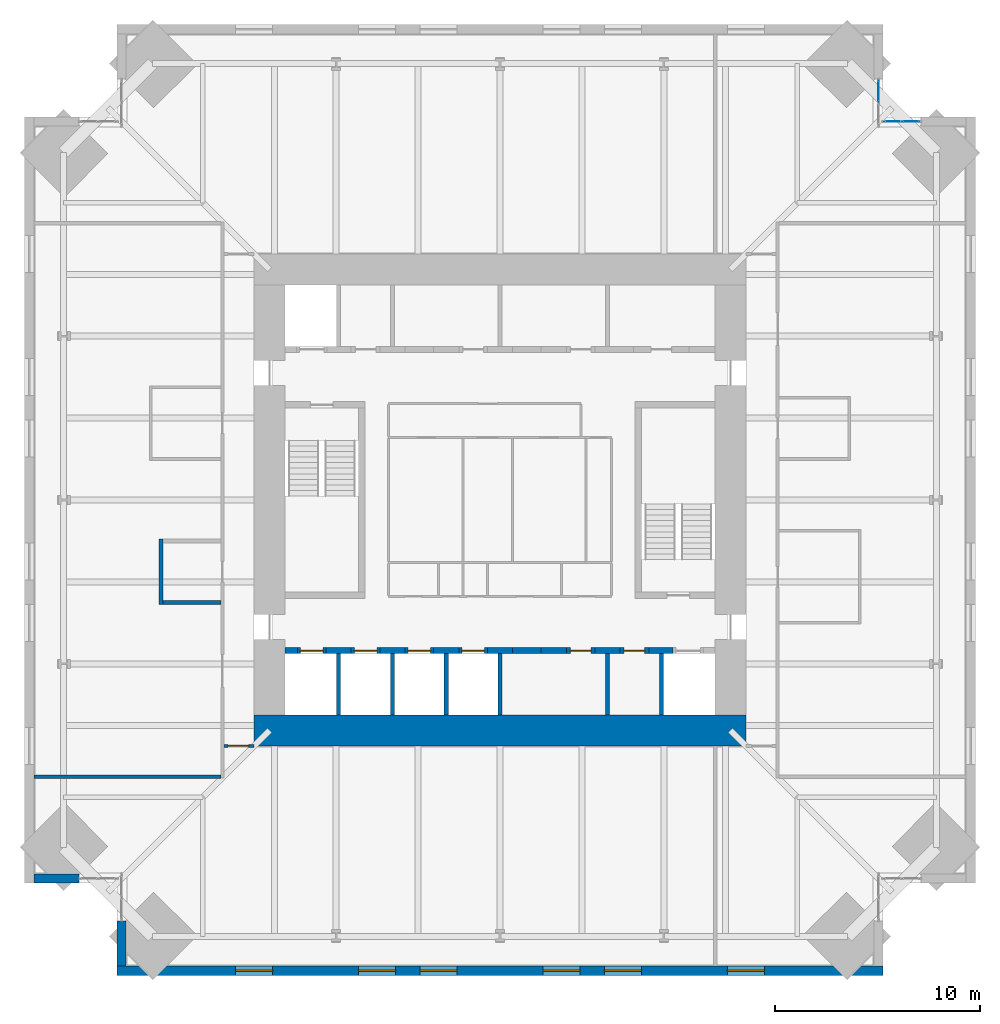
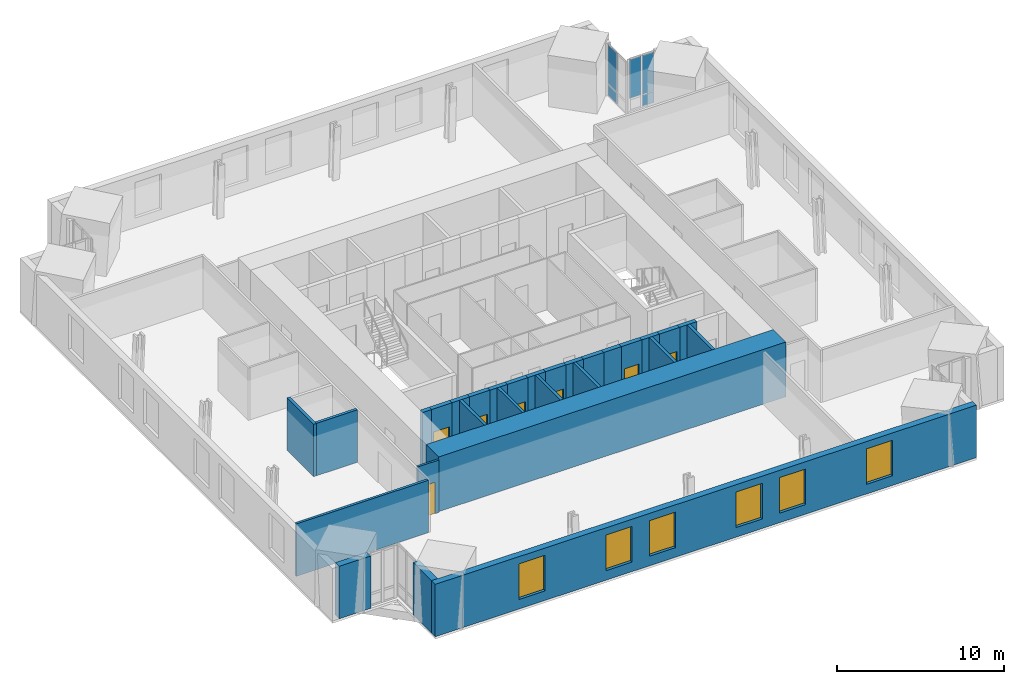
# One storey, part 10 of 15: 29 walls, 7 doors, 6 windows, 5 plates, 13 openings, 2 elements without a shape of their own.
"""IFC4 building model written with IfcOpenShell, lengths in metres."""

from ifc_helpers import new_model, si_unit, direction, frame, frame_2d, origin, origin_2d, place, context, subcontext, project, spatial, rectangle, extrude, material, layer, layer_set, type_object, element, fill, aggregate, save


model = new_model("IFC4")

# Units and contexts
model_context = context("Model", 3, precision=1e-05, world=origin(), true_north=direction((0.0, 1.0)))
body_context = subcontext(model_context, "Body", "Model", "MODEL_VIEW")
ifc_project = project(units=[si_unit("LENGTHUNIT", "METRE"), si_unit("AREAUNIT", "SQUARE_METRE"), si_unit("VOLUMEUNIT", "CUBIC_METRE"), si_unit("PLANEANGLEUNIT", "RADIAN"), si_unit("MASSUNIT", "GRAM", prefix="KILO")], contexts=[model_context])

# Site, building, storey
site_placement = place(None, origin())
site = spatial("IfcSite", under=ifc_project, at=site_placement, CompositionType="ELEMENT")
building_placement = place(site_placement, origin())
building = spatial("IfcBuilding", under=site, at=building_placement, Name="Peilmerk Tower", CompositionType="ELEMENT")
storey_placement = place(building_placement, frame((0.0, 0.0, 237.800048828125)))
storey = spatial("IfcBuildingStorey", under=building, at=storey_placement, Name="L52", CompositionType="ELEMENT", Elevation=237.800048828125)

# Curtain wall, plates
ifc_material_1 = material(Name="Aluminium stick curtain wall", Category="aluminium")
curtain_wall_type = type_object("IfcCurtainWallType", Name="CW4 stick curtain wall, 2250 module", PredefinedType="NOTDEFINED", material=ifc_material_1)
curtain_wall_1_placement = place(storey_placement, origin())
curtain_wall_1 = element("IfcCurtainWall", 1, at=curtain_wall_1_placement, inside=storey, type_object=curtain_wall_type, Name="Curtain wall CW4 NEA L52", PredefinedType="NOTDEFINED")
ifc_material_2 = material(Name="Clear insulated glazing unit", Category="glass")
ifc_layer_1 = layer(ifc_material_2, 0.028076171875)
ifc_layer_set_1 = layer_set([ifc_layer_1], Name="Clear insulated glazing unit")
plate_type = type_object("IfcPlateType", Name="CW4-P 28 glazed panel", PredefinedType="CURTAIN_PANEL", material=ifc_layer_set_1)
plate_1_placement = place(storey_placement, frame((18.47509765625, 19.9501953125, 0.06494140625), z_axis=(0.0, 0.0, 1.0), x_axis=(0.0, 1.0, 0.0)))
plate_1 = element("IfcPlate", 2, at=plate_1_placement, type_object=plate_type, Name="CW4 panel 2.1", PredefinedType="CURTAIN_PANEL", context=body_context, shape_type="SweptSolid", body=[
    extrude(rectangle(XDim=1.046875, YDim=0.028076171875, at=origin_2d()), origin(), (0.0, 0.0, 1.0), 0.802490234375),
])
plate_2_placement = place(storey_placement, frame((18.47509765625, 19.9501953125, 0.932373046875), z_axis=(0.0, 0.0, 1.0), x_axis=(0.0, 1.0, 0.0)))
plate_2 = element("IfcPlate", 3, at=plate_2_placement, type_object=plate_type, Name="CW4 panel 2.2", PredefinedType="CURTAIN_PANEL", context=body_context, shape_type="SweptSolid", body=[
    extrude(rectangle(XDim=1.046875, YDim=0.028076171875, at=origin_2d()), origin(), (0.0, 0.0, 1.0), 2.83251953125),
])
aggregate(curtain_wall_1, [plate_1, plate_2])

curtain_wall_2_placement = place(storey_placement, origin())
curtain_wall_2 = element("IfcCurtainWall", 4, at=curtain_wall_2_placement, inside=storey, type_object=curtain_wall_type, Name="Curtain wall CW4 NEB L52", PredefinedType="NOTDEFINED")
plate_3_placement = place(storey_placement, frame((19.176025390625, 18.47509765625, 0.932373046875), z_axis=(0.0, 0.0, 1.0), x_axis=(1.0, 0.0, 0.0)))
plate_3 = element("IfcPlate", 5, at=plate_3_placement, type_object=plate_type, Name="CW4 panel 1.2", PredefinedType="CURTAIN_PANEL", context=body_context, shape_type="SweptSolid", body=[
    extrude(rectangle(XDim=0.82177734375, YDim=0.028076171875, at=origin_2d()), origin(), (0.0, 0.0, 1.0), 2.83251953125),
])
plate_4_placement = place(storey_placement, frame((20.062744140625, 18.47509765625, 0.06494140625), z_axis=(0.0, 0.0, 1.0), x_axis=(1.0, 0.0, 0.0)))
plate_4 = element("IfcPlate", 6, at=plate_4_placement, type_object=plate_type, Name="CW4 panel 2.1", PredefinedType="CURTAIN_PANEL", context=body_context, shape_type="SweptSolid", body=[
    extrude(rectangle(XDim=0.82177734375, YDim=0.028076171875, at=origin_2d()), origin(), (0.0, 0.0, 1.0), 0.802490234375),
])
plate_5_placement = place(storey_placement, frame((20.062744140625, 18.47509765625, 0.932373046875), z_axis=(0.0, 0.0, 1.0), x_axis=(1.0, 0.0, 0.0)))
plate_5 = element("IfcPlate", 7, at=plate_5_placement, type_object=plate_type, Name="CW4 panel 2.2", PredefinedType="CURTAIN_PANEL", context=body_context, shape_type="SweptSolid", body=[
    extrude(rectangle(XDim=0.82177734375, YDim=0.028076171875, at=origin_2d()), origin(), (0.0, 0.0, 1.0), 2.83251953125),
])
aggregate(curtain_wall_2, [plate_3, plate_4, plate_5])

# Wall, openings, windows
ifc_material_3 = material(Name="Precast concrete C45/55, board-marked finish", Category="concrete")
ifc_layer_2 = layer(ifc_material_3, 0.449951171875)
ifc_layer_set_2 = layer_set([ifc_layer_2], Name="Precast concrete C45/55, board-marked finish")
wall_type_1 = type_object("IfcWallType", Name="EW1 450 precast concrete facade wall, board-marked", PredefinedType="SOLIDWALL", material=ifc_layer_set_2)
wall_1_placement = place(storey_placement, frame((-18.699951171875, -22.97509765625, 0.0), z_axis=(0.0, 0.0, 1.0), x_axis=(1.0, 0.0, 0.0)))
wall_1 = element("IfcWall", 8, at=wall_1_placement, inside=storey, type_object=wall_type_1, Name="Facade wall S L52", PredefinedType="SOLIDWALL", context=body_context, shape_type="SweptSolid", body=[
    extrude(rectangle(XDim=37.39990234375, YDim=0.449951171875, at=frame_2d((18.699951171875, 0.0))), origin(), (0.0, 0.0, 1.0), 3.829833984375),
])
opening_1_placement = place(wall_1_placement, frame((5.800048828125, 0.0, 0.699951171875)))
opening_1 = element("IfcOpeningElement", 9, at=opening_1_placement, cuts=wall_1, Name="Opening W1", PredefinedType="OPENING", context=body_context, shape_type="SweptSolid", body=[
    extrude(rectangle(XDim=1.800048828125, YDim=2.60009765625, at=frame_2d((0.89990234375, 1.300048828125))), frame((0.0, 0.23486328125, 0.0), z_axis=(0.0, -1.0, 0.0), x_axis=(1.0, 0.0, 0.0)), (0.0, 0.0, 1.0), 0.469970703125),
])
opening_2_placement = place(wall_1_placement, frame((11.800048828125, 0.0, 0.699951171875)))
opening_2 = element("IfcOpeningElement", 10, at=opening_2_placement, cuts=wall_1, Name="Opening W1", PredefinedType="OPENING", context=body_context, shape_type="SweptSolid", body=[
    extrude(rectangle(XDim=1.800048828125, YDim=2.60009765625, at=frame_2d((0.89990234375, 1.300048828125))), frame((0.0, 0.23486328125, 0.0), z_axis=(0.0, -1.0, 0.0), x_axis=(1.0, 0.0, 0.0)), (0.0, 0.0, 1.0), 0.469970703125),
])
opening_3_placement = place(wall_1_placement, frame((14.800048828125, 0.0, 0.699951171875)))
opening_3 = element("IfcOpeningElement", 11, at=opening_3_placement, cuts=wall_1, Name="Opening W1", PredefinedType="OPENING", context=body_context, shape_type="SweptSolid", body=[
    extrude(rectangle(XDim=1.800048828125, YDim=2.60009765625, at=frame_2d((0.89990234375, 1.300048828125))), frame((0.0, 0.23486328125, 0.0), z_axis=(0.0, -1.0, 0.0), x_axis=(1.0, 0.0, 0.0)), (0.0, 0.0, 1.0), 0.469970703125),
])
opening_4_placement = place(wall_1_placement, frame((20.800048828125, 0.0, 0.699951171875)))
opening_4 = element("IfcOpeningElement", 12, at=opening_4_placement, cuts=wall_1, Name="Opening W1", PredefinedType="OPENING", context=body_context, shape_type="SweptSolid", body=[
    extrude(rectangle(XDim=1.800048828125, YDim=2.60009765625, at=frame_2d((0.89990234375, 1.300048828125))), frame((0.0, 0.23486328125, 0.0), z_axis=(0.0, -1.0, 0.0), x_axis=(1.0, 0.0, 0.0)), (0.0, 0.0, 1.0), 0.469970703125),
])
opening_5_placement = place(wall_1_placement, frame((23.800048828125, 0.0, 0.699951171875)))
opening_5 = element("IfcOpeningElement", 13, at=opening_5_placement, cuts=wall_1, Name="Opening W1", PredefinedType="OPENING", context=body_context, shape_type="SweptSolid", body=[
    extrude(rectangle(XDim=1.800048828125, YDim=2.60009765625, at=frame_2d((0.89990234375, 1.300048828125))), frame((0.0, 0.23486328125, 0.0), z_axis=(0.0, -1.0, 0.0), x_axis=(1.0, 0.0, 0.0)), (0.0, 0.0, 1.0), 0.469970703125),
])
opening_6_placement = place(wall_1_placement, frame((29.800048828125, 0.0, 0.699951171875)))
opening_6 = element("IfcOpeningElement", 14, at=opening_6_placement, cuts=wall_1, Name="Opening W1", PredefinedType="OPENING", context=body_context, shape_type="SweptSolid", body=[
    extrude(rectangle(XDim=1.800048828125, YDim=2.60009765625, at=frame_2d((0.89990234375, 1.300048828125))), frame((0.0, 0.23486328125, 0.0), z_axis=(0.0, -1.0, 0.0), x_axis=(1.0, 0.0, 0.0)), (0.0, 0.0, 1.0), 0.469970703125),
])
ifc_material_4 = material(Name="Aluminium frame, clear double glazing", Category="aluminium")
window_type = type_object("IfcWindowType", Name="W1 1800x2600 office window", PartitioningType="SINGLE_PANEL", PredefinedType="WINDOW", material=ifc_material_4)
window_1_placement = place(opening_1_placement, origin())
window_1 = element("IfcWindow", 15, at=window_1_placement, inside=storey, type_object=window_type, Name="Window W1 L52", OverallHeight=2.60009765625, OverallWidth=1.800048828125, PartitioningType="SINGLE_PANEL", PredefinedType="WINDOW", context=body_context, shape_type="SweptSolid", body=[
    extrude(rectangle(XDim=1.800048828125, YDim=2.60009765625, at=frame_2d((0.89990234375, 1.300048828125))), frame((0.0, 0.030029296875, 0.0), z_axis=(0.0, -1.0, 0.0), x_axis=(1.0, 0.0, 0.0)), (0.0, 0.0, 1.0), 0.06005859375),
])
fill(opening_1, window_1)
window_2_placement = place(opening_2_placement, origin())
window_2 = element("IfcWindow", 16, at=window_2_placement, inside=storey, type_object=window_type, Name="Window W1 L52", OverallHeight=2.60009765625, OverallWidth=1.800048828125, PartitioningType="SINGLE_PANEL", PredefinedType="WINDOW", context=body_context, shape_type="SweptSolid", body=[
    extrude(rectangle(XDim=1.800048828125, YDim=2.60009765625, at=frame_2d((0.89990234375, 1.300048828125))), frame((0.0, 0.030029296875, 0.0), z_axis=(0.0, -1.0, 0.0), x_axis=(1.0, 0.0, 0.0)), (0.0, 0.0, 1.0), 0.06005859375),
])
fill(opening_2, window_2)
window_3_placement = place(opening_3_placement, origin())
window_3 = element("IfcWindow", 17, at=window_3_placement, inside=storey, type_object=window_type, Name="Window W1 L52", OverallHeight=2.60009765625, OverallWidth=1.800048828125, PartitioningType="SINGLE_PANEL", PredefinedType="WINDOW", context=body_context, shape_type="SweptSolid", body=[
    extrude(rectangle(XDim=1.800048828125, YDim=2.60009765625, at=frame_2d((0.89990234375, 1.300048828125))), frame((0.0, 0.030029296875, 0.0), z_axis=(0.0, -1.0, 0.0), x_axis=(1.0, 0.0, 0.0)), (0.0, 0.0, 1.0), 0.06005859375),
])
fill(opening_3, window_3)
window_4_placement = place(opening_4_placement, origin())
window_4 = element("IfcWindow", 18, at=window_4_placement, inside=storey, type_object=window_type, Name="Window W1 L52", OverallHeight=2.60009765625, OverallWidth=1.800048828125, PartitioningType="SINGLE_PANEL", PredefinedType="WINDOW", context=body_context, shape_type="SweptSolid", body=[
    extrude(rectangle(XDim=1.800048828125, YDim=2.60009765625, at=frame_2d((0.89990234375, 1.300048828125))), frame((0.0, 0.030029296875, 0.0), z_axis=(0.0, -1.0, 0.0), x_axis=(1.0, 0.0, 0.0)), (0.0, 0.0, 1.0), 0.06005859375),
])
fill(opening_4, window_4)
window_5_placement = place(opening_5_placement, origin())
window_5 = element("IfcWindow", 19, at=window_5_placement, inside=storey, type_object=window_type, Name="Window W1 L52", OverallHeight=2.60009765625, OverallWidth=1.800048828125, PartitioningType="SINGLE_PANEL", PredefinedType="WINDOW", context=body_context, shape_type="SweptSolid", body=[
    extrude(rectangle(XDim=1.800048828125, YDim=2.60009765625, at=frame_2d((0.89990234375, 1.300048828125))), frame((0.0, 0.030029296875, 0.0), z_axis=(0.0, -1.0, 0.0), x_axis=(1.0, 0.0, 0.0)), (0.0, 0.0, 1.0), 0.06005859375),
])
fill(opening_5, window_5)
window_6_placement = place(opening_6_placement, origin())
window_6 = element("IfcWindow", 20, at=window_6_placement, inside=storey, type_object=window_type, Name="Window W1 L52", OverallHeight=2.60009765625, OverallWidth=1.800048828125, PartitioningType="SINGLE_PANEL", PredefinedType="WINDOW", context=body_context, shape_type="SweptSolid", body=[
    extrude(rectangle(XDim=1.800048828125, YDim=2.60009765625, at=frame_2d((0.89990234375, 1.300048828125))), frame((0.0, 0.030029296875, 0.0), z_axis=(0.0, -1.0, 0.0), x_axis=(1.0, 0.0, 0.0)), (0.0, 0.0, 1.0), 0.06005859375),
])
fill(opening_6, window_6)

# Walls
for number, where, z_axis, x_axis, name in (
    (21, (-18.47509765625, -20.5537109375, 0.0), (0.0, 0.0, 1.0), (0.0, -1.0, 0.0), "Facade wall SWA L52"),
    (22, (-20.5537109375, -18.47509765625, 0.0), (0.0, 0.0, 1.0), (-1.0, 0.0, 0.0), "Facade wall SWB L52"),
):
    element("IfcWall", number, at=place(storey_placement, frame(where, z_axis=z_axis, x_axis=x_axis)), inside=storey, type_object=wall_type_1, Name=name, PredefinedType="SOLIDWALL", context=body_context, shape_type="SweptSolid", body=[
        extrude(rectangle(XDim=2.1962890625, YDim=0.449951171875, at=frame_2d((1.09814453125, 0.0))), origin(), (0.0, 0.0, 1.0), 3.829833984375),
    ])

# Wall, opening, door
ifc_material_5 = material(Name="Calcium silicate block", Category="masonry")
ifc_layer_3 = layer(ifc_material_5, 0.14990234375)
ifc_layer_set_3 = layer_set([ifc_layer_3], Name="Calcium silicate block")
wall_type_2 = type_object("IfcWallType", Name="IW1 150 corridor partition, EI 60", PredefinedType="PARTITIONING", material=ifc_layer_set_3)
wall_2_placement = place(storey_placement, frame((-12.0, -12.0, 0.0), z_axis=(0.0, 0.0, 1.0), x_axis=(-1.0, 0.0, 0.0)))
wall_2 = element("IfcWall", 23, at=wall_2_placement, inside=storey, type_object=wall_type_2, Name="Corridor wall SW L52", PredefinedType="PARTITIONING", context=body_context, shape_type="SweptSolid", body=[
    extrude(rectangle(XDim=1.47509765625, YDim=0.14990234375, at=frame_2d((0.737548828125, 0.0))), origin(), (0.0, 0.0, 1.0), 3.829833984375),
])
opening_7_placement = place(wall_2_placement, frame((0.27490234375, 0.0, 0.0)))
opening_7 = element("IfcOpeningElement", 24, at=opening_7_placement, cuts=wall_2, Name="Opening D1", PredefinedType="OPENING", context=body_context, shape_type="SweptSolid", body=[
    extrude(rectangle(XDim=1.0, YDim=2.300048828125, at=frame_2d((0.5, 1.14990234375))), frame((0.0, 0.0849609375, 0.0), z_axis=(0.0, -1.0, 0.0), x_axis=(1.0, 0.0, 0.0)), (0.0, 0.0, 1.0), 0.169921875),
])
ifc_material_6 = material(Name="Timber door in steel frame", Category="steel")
door_type_1 = type_object("IfcDoorType", Name="D1 1000x2300 room door, EI2 30", OperationType="SINGLE_SWING_LEFT", PredefinedType="DOOR", material=ifc_material_6)
door_1_placement = place(opening_7_placement, origin())
door_1 = element("IfcDoor", 25, at=door_1_placement, inside=storey, type_object=door_type_1, Name="Door Open workspace L52", OperationType="SINGLE_SWING_LEFT", OverallHeight=2.300048828125, OverallWidth=1.0, PredefinedType="DOOR", context=body_context, shape_type="SweptSolid", body=[
    extrude(rectangle(XDim=1.0, YDim=2.300048828125, at=frame_2d((0.5, 1.14990234375))), frame((0.0, 0.02490234375, 0.0), z_axis=(0.0, -1.0, 0.0), x_axis=(1.0, 0.0, 0.0)), (0.0, 0.0, 1.0), 0.050048828125),
])
fill(opening_7, door_1)

# Walls
ifc_layer_4 = layer(ifc_material_5, 0.199951171875)
ifc_layer_set_4 = layer_set([ifc_layer_4], Name="Calcium silicate block")
wall_type_3 = type_object("IfcWallType", Name="IW2 200 room separating wall, EI 120", PredefinedType="PARTITIONING", material=ifc_layer_set_4)
wall_3_placement = place(storey_placement, frame((-16.550048828125, -5.10009765625, 0.0), z_axis=(0.0, 0.0, 1.0), x_axis=(0.0, 1.0, 0.0)))
element("IfcWall", 26, at=wall_3_placement, inside=storey, type_object=wall_type_3, Name="Room separating wall Print room L52", PredefinedType="PARTITIONING", context=body_context, shape_type="SweptSolid", body=[
    extrude(rectangle(XDim=3.2001953125, YDim=0.199951171875, at=frame_2d((1.60009765625, 0.0))), origin(), (0.0, 0.0, 1.0), 3.829833984375),
])
wall_4_placement = place(storey_placement, frame((-13.625, -5.0, 0.0), z_axis=(0.0, 0.0, 1.0), x_axis=(-1.0, 0.0, 0.0)))
element("IfcWall", 27, at=wall_4_placement, inside=storey, type_object=wall_type_3, Name="Room separating wall Print room L52", PredefinedType="PARTITIONING", context=body_context, shape_type="SweptSolid", body=[
    extrude(rectangle(XDim=2.824951171875, YDim=0.199951171875, at=frame_2d((1.41259765625, 0.0))), origin(), (0.0, 0.0, 1.0), 3.829833984375),
])
ifc_layer_5 = layer(ifc_material_5, 0.175048828125)
ifc_layer_set_5 = layer_set([ifc_layer_5], Name="Calcium silicate block")
wall_type_4 = type_object("IfcWallType", Name="IW8 175 tenant separating wall, EI 60", PredefinedType="PARTITIONING", material=ifc_layer_set_5)
wall_5_placement = place(storey_placement, frame((-13.625, -13.5, 0.0), z_axis=(0.0, 0.0, 1.0), x_axis=(-1.0, 0.0, 0.0)))
element("IfcWall", 28, at=wall_5_placement, inside=storey, type_object=wall_type_4, Name="Tenant separating wall SW L52", PredefinedType="PARTITIONING", context=body_context, shape_type="SweptSolid", body=[
    extrude(rectangle(XDim=9.125, YDim=0.175048828125, at=frame_2d((4.5625, 0.0))), origin(), (0.0, 0.0, 1.0), 3.829833984375),
])
ifc_layer_6 = layer(ifc_material_5, 0.199951171875)
ifc_layer_set_6 = layer_set([ifc_layer_6], Name="Calcium silicate block")
wall_type_5 = type_object("IfcWallType", Name="SH1 200 shaft dividing wall, EI 120", PredefinedType="PARTITIONING", material=ifc_layer_set_6)
for number, where, z_axis, x_axis, name in (
    (29, (-7.875, -10.5, 0.0), (0.0, 0.0, 1.0), (0.0, 1.0, 0.0), "Shaft wall S C4 L52"),
    (30, (-5.25, -10.5, 0.0), (0.0, 0.0, 1.0), (0.0, 1.0, 0.0), "Shaft wall S C3 L52"),
    (31, (-2.625, -10.5, 0.0), (0.0, 0.0, 1.0), (0.0, 1.0, 0.0), "Shaft wall S C2 L52"),
    (32, (0.0, -10.5, 0.0), (0.0, 0.0, 1.0), (0.0, 1.0, 0.0), "Shaft wall S C1 L52"),
    (33, (5.25, -10.5, 0.0), (0.0, 0.0, 1.0), (0.0, 1.0, 0.0), "Shaft wall S B2 L52"),
    (34, (7.875, -10.5, 0.0), (0.0, 0.0, 1.0), (0.0, 1.0, 0.0), "Shaft wall S B1 L52"),
):
    element("IfcWall", number, at=place(storey_placement, frame(where, z_axis=z_axis, x_axis=x_axis)), inside=storey, type_object=wall_type_5, Name=name, PredefinedType="PARTITIONING", context=body_context, shape_type="SweptSolid", body=[
        extrude(rectangle(XDim=3.0, YDim=0.199951171875, at=frame_2d((1.5, 0.0))), origin(), (0.0, 0.0, 1.0), 4.0),
    ])

# Wall, opening, door
ifc_layer_7 = layer(ifc_material_5, 0.300048828125)
ifc_layer_set_7 = layer_set([ifc_layer_7], Name="Calcium silicate block")
wall_type_6 = type_object("IfcWallType", Name="SH2 300 lift landing door panel, EI 120", PredefinedType="PARTITIONING", material=ifc_layer_set_7)
wall_6_placement = place(storey_placement, frame((-9.887451171875, -7.35009765625, 0.0), z_axis=(0.0, 0.0, 1.0), x_axis=(1.0, 0.0, 0.0)))
wall_6 = element("IfcWall", 35, at=wall_6_placement, inside=storey, type_object=wall_type_6, Name="Lift door panel S C4 L52", PredefinedType="PARTITIONING", context=body_context, shape_type="SweptSolid", body=[
    extrude(rectangle(XDim=1.39990234375, YDim=0.300048828125, at=frame_2d((0.699951171875, 0.0))), origin(), (0.0, 0.0, 1.0), 4.0),
])
opening_8_placement = place(wall_6_placement, frame((0.14990234375, 0.0, 0.0)))
opening_8 = element("IfcOpeningElement", 36, at=opening_8_placement, cuts=wall_6, Name="Opening LD1", PredefinedType="OPENING", context=body_context, shape_type="SweptSolid", body=[
    extrude(rectangle(XDim=1.10009765625, YDim=2.300048828125, at=frame_2d((0.550048828125, 1.14990234375))), frame((0.0, 0.159912109375, 0.0), z_axis=(0.0, -1.0, 0.0), x_axis=(1.0, 0.0, 0.0)), (0.0, 0.0, 1.0), 0.320068359375),
])
ifc_material_7 = material(Name="Stainless steel landing door", Category="steel")
door_type_2 = type_object("IfcDoorType", Name="LD1 1100x2300 lift landing door, sliding, EI2 60", OperationType="SLIDING_TO_LEFT", PredefinedType="DOOR", material=ifc_material_7)
door_2_placement = place(opening_8_placement, origin())
door_2 = element("IfcDoor", 37, at=door_2_placement, inside=storey, type_object=door_type_2, Name="Lift landing door C4 L52", OperationType="SLIDING_TO_LEFT", OverallHeight=2.300048828125, OverallWidth=1.10009765625, PredefinedType="DOOR", context=body_context, shape_type="SweptSolid", body=[
    extrude(rectangle(XDim=1.10009765625, YDim=2.300048828125, at=frame_2d((0.550048828125, 1.14990234375))), frame((0.0, 0.02490234375, 0.0), z_axis=(0.0, -1.0, 0.0), x_axis=(1.0, 0.0, 0.0)), (0.0, 0.0, 1.0), 0.050048828125),
])
fill(opening_8, door_2)

wall_7_placement = place(storey_placement, frame((-7.262451171875, -7.35009765625, 0.0), z_axis=(0.0, 0.0, 1.0), x_axis=(1.0, 0.0, 0.0)))
wall_7 = element("IfcWall", 38, at=wall_7_placement, inside=storey, type_object=wall_type_6, Name="Lift door panel S C3 L52", PredefinedType="PARTITIONING", context=body_context, shape_type="SweptSolid", body=[
    extrude(rectangle(XDim=1.39990234375, YDim=0.300048828125, at=frame_2d((0.699951171875, 0.0))), origin(), (0.0, 0.0, 1.0), 4.0),
])
opening_9_placement = place(wall_7_placement, frame((0.14990234375, 0.0, 0.0)))
opening_9 = element("IfcOpeningElement", 39, at=opening_9_placement, cuts=wall_7, Name="Opening LD1", PredefinedType="OPENING", context=body_context, shape_type="SweptSolid", body=[
    extrude(rectangle(XDim=1.10009765625, YDim=2.300048828125, at=frame_2d((0.550048828125, 1.14990234375))), frame((0.0, 0.159912109375, 0.0), z_axis=(0.0, -1.0, 0.0), x_axis=(1.0, 0.0, 0.0)), (0.0, 0.0, 1.0), 0.320068359375),
])
door_3_placement = place(opening_9_placement, origin())
door_3 = element("IfcDoor", 40, at=door_3_placement, inside=storey, type_object=door_type_2, Name="Lift landing door C3 L52", OperationType="SLIDING_TO_LEFT", OverallHeight=2.300048828125, OverallWidth=1.10009765625, PredefinedType="DOOR", context=body_context, shape_type="SweptSolid", body=[
    extrude(rectangle(XDim=1.10009765625, YDim=2.300048828125, at=frame_2d((0.550048828125, 1.14990234375))), frame((0.0, 0.02490234375, 0.0), z_axis=(0.0, -1.0, 0.0), x_axis=(1.0, 0.0, 0.0)), (0.0, 0.0, 1.0), 0.050048828125),
])
fill(opening_9, door_3)

wall_8_placement = place(storey_placement, frame((-4.637451171875, -7.35009765625, 0.0), z_axis=(0.0, 0.0, 1.0), x_axis=(1.0, 0.0, 0.0)))
wall_8 = element("IfcWall", 41, at=wall_8_placement, inside=storey, type_object=wall_type_6, Name="Lift door panel S C2 L52", PredefinedType="PARTITIONING", context=body_context, shape_type="SweptSolid", body=[
    extrude(rectangle(XDim=1.39990234375, YDim=0.300048828125, at=frame_2d((0.699951171875, 0.0))), origin(), (0.0, 0.0, 1.0), 4.0),
])
opening_10_placement = place(wall_8_placement, frame((0.14990234375, 0.0, 0.0)))
opening_10 = element("IfcOpeningElement", 42, at=opening_10_placement, cuts=wall_8, Name="Opening LD1", PredefinedType="OPENING", context=body_context, shape_type="SweptSolid", body=[
    extrude(rectangle(XDim=1.10009765625, YDim=2.300048828125, at=frame_2d((0.550048828125, 1.14990234375))), frame((0.0, 0.159912109375, 0.0), z_axis=(0.0, -1.0, 0.0), x_axis=(1.0, 0.0, 0.0)), (0.0, 0.0, 1.0), 0.320068359375),
])
door_4_placement = place(opening_10_placement, origin())
door_4 = element("IfcDoor", 43, at=door_4_placement, inside=storey, type_object=door_type_2, Name="Lift landing door C2 L52", OperationType="SLIDING_TO_LEFT", OverallHeight=2.300048828125, OverallWidth=1.10009765625, PredefinedType="DOOR", context=body_context, shape_type="SweptSolid", body=[
    extrude(rectangle(XDim=1.10009765625, YDim=2.300048828125, at=frame_2d((0.550048828125, 1.14990234375))), frame((0.0, 0.02490234375, 0.0), z_axis=(0.0, -1.0, 0.0), x_axis=(1.0, 0.0, 0.0)), (0.0, 0.0, 1.0), 0.050048828125),
])
fill(opening_10, door_4)

wall_9_placement = place(storey_placement, frame((-2.012451171875, -7.35009765625, 0.0), z_axis=(0.0, 0.0, 1.0), x_axis=(1.0, 0.0, 0.0)))
wall_9 = element("IfcWall", 44, at=wall_9_placement, inside=storey, type_object=wall_type_6, Name="Lift door panel S C1 L52", PredefinedType="PARTITIONING", context=body_context, shape_type="SweptSolid", body=[
    extrude(rectangle(XDim=1.39990234375, YDim=0.300048828125, at=frame_2d((0.699951171875, 0.0))), origin(), (0.0, 0.0, 1.0), 4.0),
])
opening_11_placement = place(wall_9_placement, frame((0.14990234375, 0.0, 0.0)))
opening_11 = element("IfcOpeningElement", 45, at=opening_11_placement, cuts=wall_9, Name="Opening LD1", PredefinedType="OPENING", context=body_context, shape_type="SweptSolid", body=[
    extrude(rectangle(XDim=1.10009765625, YDim=2.300048828125, at=frame_2d((0.550048828125, 1.14990234375))), frame((0.0, 0.159912109375, 0.0), z_axis=(0.0, -1.0, 0.0), x_axis=(1.0, 0.0, 0.0)), (0.0, 0.0, 1.0), 0.320068359375),
])
door_5_placement = place(opening_11_placement, origin())
door_5 = element("IfcDoor", 46, at=door_5_placement, inside=storey, type_object=door_type_2, Name="Lift landing door C1 L52", OperationType="SLIDING_TO_LEFT", OverallHeight=2.300048828125, OverallWidth=1.10009765625, PredefinedType="DOOR", context=body_context, shape_type="SweptSolid", body=[
    extrude(rectangle(XDim=1.10009765625, YDim=2.300048828125, at=frame_2d((0.550048828125, 1.14990234375))), frame((0.0, 0.02490234375, 0.0), z_axis=(0.0, -1.0, 0.0), x_axis=(1.0, 0.0, 0.0)), (0.0, 0.0, 1.0), 0.050048828125),
])
fill(opening_11, door_5)

# Wall
wall_10_placement = place(storey_placement, frame((0.612548828125, -7.35009765625, 0.0), z_axis=(0.0, 0.0, 1.0), x_axis=(1.0, 0.0, 0.0)))
element("IfcWall", 47, at=wall_10_placement, inside=storey, type_object=wall_type_6, Name="Lift door panel S B3 L52", PredefinedType="PARTITIONING", context=body_context, shape_type="SweptSolid", body=[
    extrude(rectangle(XDim=1.39990234375, YDim=0.300048828125, at=frame_2d((0.699951171875, 0.0))), origin(), (0.0, 0.0, 1.0), 4.0),
])

# Wall, opening, door
wall_11_placement = place(storey_placement, frame((3.237548828125, -7.35009765625, 0.0), z_axis=(0.0, 0.0, 1.0), x_axis=(1.0, 0.0, 0.0)))
wall_11 = element("IfcWall", 48, at=wall_11_placement, inside=storey, type_object=wall_type_6, Name="Lift door panel S B2 L52", PredefinedType="PARTITIONING", context=body_context, shape_type="SweptSolid", body=[
    extrude(rectangle(XDim=1.39990234375, YDim=0.300048828125, at=frame_2d((0.699951171875, 0.0))), origin(), (0.0, 0.0, 1.0), 4.0),
])
opening_12_placement = place(wall_11_placement, frame((0.199951171875, 0.0, 0.0)))
opening_12 = element("IfcOpeningElement", 49, at=opening_12_placement, cuts=wall_11, Name="Opening D10", PredefinedType="OPENING", context=body_context, shape_type="SweptSolid", body=[
    extrude(rectangle(XDim=1.0, YDim=2.300048828125, at=frame_2d((0.5, 1.14990234375))), frame((0.0, 0.159912109375, 0.0), z_axis=(0.0, -1.0, 0.0), x_axis=(1.0, 0.0, 0.0)), (0.0, 0.0, 1.0), 0.320068359375),
])
ifc_material_8 = material(Name="Steel door in steel frame", Category="steel")
door_type_3 = type_object("IfcDoorType", Name="D10 1000x2300 core room door, EI2 60", OperationType="SINGLE_SWING_RIGHT", PredefinedType="DOOR", material=ifc_material_8)
door_6_placement = place(opening_12_placement, frame((1.0, 0.0, 0.0), z_axis=(0.0, 0.0, 1.0), x_axis=(-1.0, 0.0, 0.0)))
door_6 = element("IfcDoor", 50, at=door_6_placement, inside=storey, type_object=door_type_3, Name="Door Staff room L52", OperationType="SINGLE_SWING_RIGHT", OverallHeight=2.300048828125, OverallWidth=1.0, PredefinedType="DOOR", context=body_context, shape_type="SweptSolid", body=[
    extrude(rectangle(XDim=1.0, YDim=2.300048828125, at=frame_2d((0.5, 1.14990234375))), frame((0.0, 0.02490234375, 0.0), z_axis=(0.0, -1.0, 0.0), x_axis=(1.0, 0.0, 0.0)), (0.0, 0.0, 1.0), 0.050048828125),
])
fill(opening_12, door_6)

wall_12_placement = place(storey_placement, frame((5.862548828125, -7.35009765625, 0.0), z_axis=(0.0, 0.0, 1.0), x_axis=(1.0, 0.0, 0.0)))
wall_12 = element("IfcWall", 51, at=wall_12_placement, inside=storey, type_object=wall_type_6, Name="Lift door panel S B1 L52", PredefinedType="PARTITIONING", context=body_context, shape_type="SweptSolid", body=[
    extrude(rectangle(XDim=1.39990234375, YDim=0.300048828125, at=frame_2d((0.699951171875, 0.0))), origin(), (0.0, 0.0, 1.0), 4.0),
])
opening_13_placement = place(wall_12_placement, frame((0.199951171875, 0.0, 0.0)))
opening_13 = element("IfcOpeningElement", 52, at=opening_13_placement, cuts=wall_12, Name="Opening D10", PredefinedType="OPENING", context=body_context, shape_type="SweptSolid", body=[
    extrude(rectangle(XDim=1.0, YDim=2.300048828125, at=frame_2d((0.5, 1.14990234375))), frame((0.0, 0.159912109375, 0.0), z_axis=(0.0, -1.0, 0.0), x_axis=(1.0, 0.0, 0.0)), (0.0, 0.0, 1.0), 0.320068359375),
])
door_7_placement = place(opening_13_placement, frame((1.0, 0.0, 0.0), z_axis=(0.0, 0.0, 1.0), x_axis=(-1.0, 0.0, 0.0)))
door_7 = element("IfcDoor", 53, at=door_7_placement, inside=storey, type_object=door_type_3, Name="Door IT room L52", OperationType="SINGLE_SWING_RIGHT", OverallHeight=2.300048828125, OverallWidth=1.0, PredefinedType="DOOR", context=body_context, shape_type="SweptSolid", body=[
    extrude(rectangle(XDim=1.0, YDim=2.300048828125, at=frame_2d((0.5, 1.14990234375))), frame((0.0, 0.02490234375, 0.0), z_axis=(0.0, -1.0, 0.0), x_axis=(1.0, 0.0, 0.0)), (0.0, 0.0, 1.0), 0.050048828125),
])
fill(opening_13, door_7)

# Walls
ifc_material_9 = material(Name="Concrete C55/67", Category="concrete")
ifc_layer_8 = layer(ifc_material_9, 1.5)
ifc_layer_set_8 = layer_set([ifc_layer_8], Name="Concrete C55/67")
wall_type_7 = type_object("IfcWallType", Name="SW1 1500 core wall", PredefinedType="SHEAR", material=ifc_layer_set_8)
wall_13_placement = place(storey_placement, frame((12.0, -11.25, 0.0), z_axis=(0.0, 0.0, 1.0), x_axis=(-1.0, 0.0, 0.0)))
element("IfcWall", 54, at=wall_13_placement, inside=storey, type_object=wall_type_7, Name="Core wall S L52", PredefinedType="SHEAR", context=body_context, shape_type="SweptSolid", body=[
    extrude(rectangle(XDim=24.0, YDim=1.5, at=frame_2d((12.0, 0.0))), origin(), (0.0, 0.0, 1.0), 4.0),
])
ifc_layer_9 = layer(ifc_material_9, 0.300048828125)
ifc_layer_set_9 = layer_set([ifc_layer_9], Name="Concrete C55/67")
wall_type_8 = type_object("IfcWallType", Name="SW2 300 lift bank pier", PredefinedType="SHEAR", material=ifc_layer_set_9)
wall_14_placement = place(storey_placement, frame((-10.5, -7.35009765625, 0.0), z_axis=(0.0, 0.0, 1.0), x_axis=(1.0, 0.0, 0.0)))
element("IfcWall", 55, at=wall_14_placement, inside=storey, type_object=wall_type_8, Name="Lift bank pier S L52", PredefinedType="SHEAR", context=body_context, shape_type="SweptSolid", body=[
    extrude(rectangle(XDim=0.612548828125, YDim=0.300048828125, at=frame_2d((0.30615234375, 0.0))), origin(), (0.0, 0.0, 1.0), 4.0),
])
for number, where, z_axis, x_axis, name in (
    (56, (-8.487548828125, -7.35009765625, 0.0), (0.0, 0.0, 1.0), (1.0, 0.0, 0.0), "Lift bank pier S L52"),
    (57, (-5.862548828125, -7.35009765625, 0.0), (0.0, 0.0, 1.0), (1.0, 0.0, 0.0), "Lift bank pier S L52"),
    (58, (-3.237548828125, -7.35009765625, 0.0), (0.0, 0.0, 1.0), (1.0, 0.0, 0.0), "Lift bank pier S L52"),
    (59, (-0.612548828125, -7.35009765625, 0.0), (0.0, 0.0, 1.0), (1.0, 0.0, 0.0), "Lift bank pier S L52"),
    (60, (2.012451171875, -7.35009765625, 0.0), (0.0, 0.0, 1.0), (1.0, 0.0, 0.0), "Lift bank pier S L52"),
    (61, (4.637451171875, -7.35009765625, 0.0), (0.0, 0.0, 1.0), (1.0, 0.0, 0.0), "Lift bank pier S L52"),
):
    element("IfcWall", number, at=place(storey_placement, frame(where, z_axis=z_axis, x_axis=x_axis)), inside=storey, type_object=wall_type_8, Name=name, PredefinedType="SHEAR", context=body_context, shape_type="SweptSolid", body=[
        extrude(rectangle(XDim=1.22509765625, YDim=0.300048828125, at=frame_2d((0.612548828125, 0.0))), origin(), (0.0, 0.0, 1.0), 4.0),
    ])
wall_15_placement = place(storey_placement, frame((7.262451171875, -7.35009765625, 0.0), z_axis=(0.0, 0.0, 1.0), x_axis=(1.0, 0.0, 0.0)))
element("IfcWall", 62, at=wall_15_placement, inside=storey, type_object=wall_type_8, Name="Lift bank pier S L52", PredefinedType="SHEAR", context=body_context, shape_type="SweptSolid", body=[
    extrude(rectangle(XDim=1.175048828125, YDim=0.300048828125, at=frame_2d((0.58740234375, 0.0))), origin(), (0.0, 0.0, 1.0), 4.0),
])

save(model, "model.ifc")
